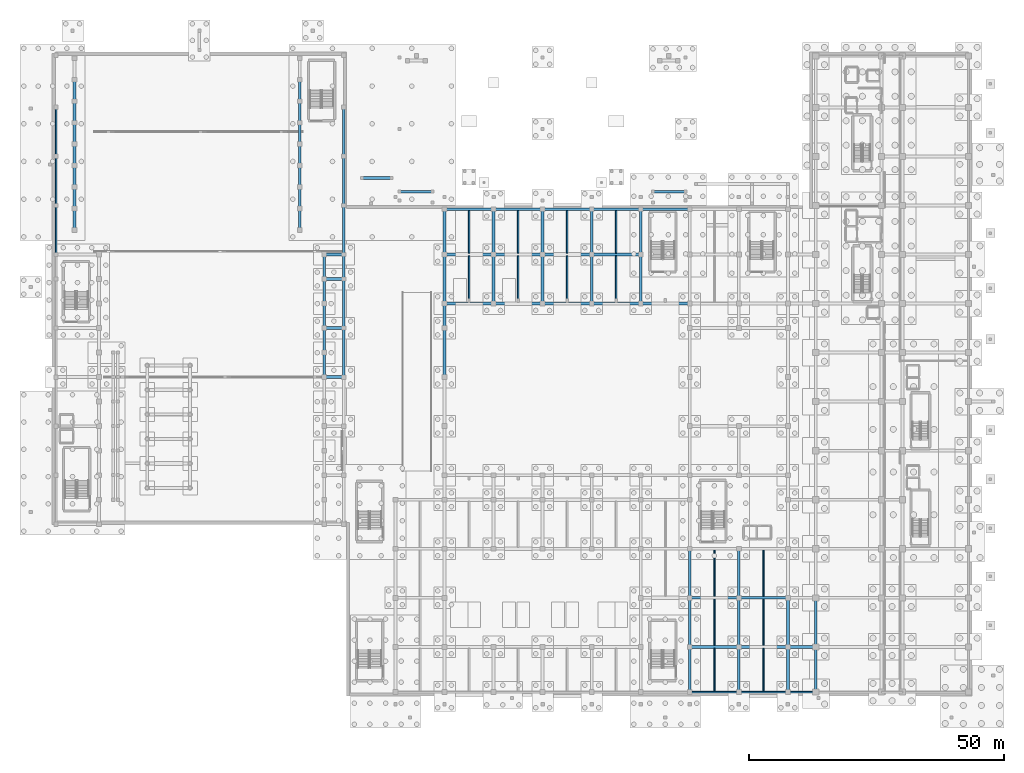
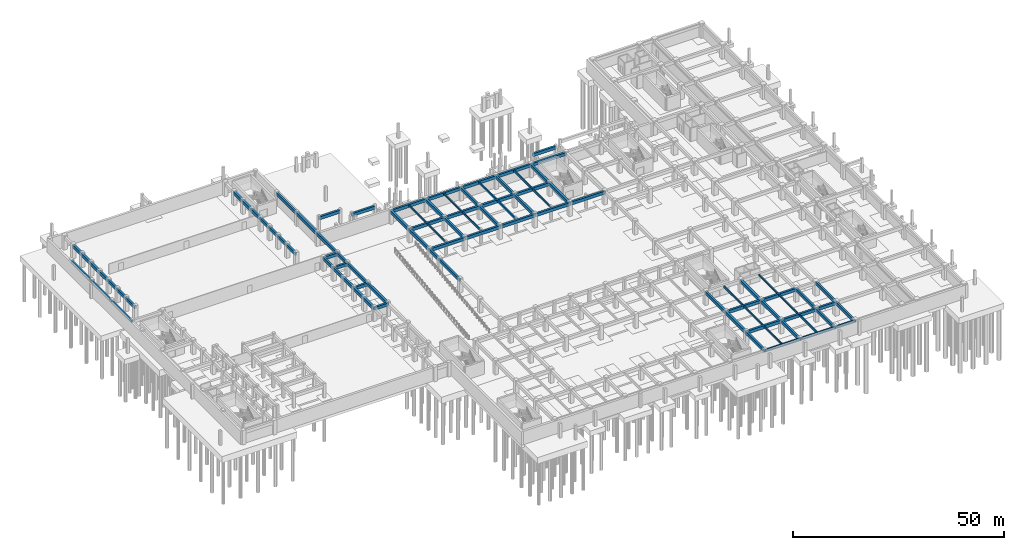
# One storey, part 12 of 39: 93 beams.
"""IFC4 building model written with IfcOpenShell, lengths in metres."""

import ifcopenshell
import ifcopenshell.guid

model = None  # the IFC model being written
_history = None  # IfcOwnerHistory: only IFC2X3 demands one
_inside = {}  # id of a spatial element -> (the spatial element, [elements in it])
_under = {}  # id of a project, library or spatial element -> (it, [spatial elements below it])
_declared = {}  # id of a project -> (the project, [libraries it declares])
_typed = {}  # id of a type object -> (the type object, [elements of that type])
_made_of = {}  # id of a material, layer set ... -> (it, [elements and type objects made of it])


def new_model(schema):
    """Start an empty IFC model of exactly this schema.

    Asked for "IFC4X3", IfcOpenShell would pick the latest addendum, in which some entities
    have other attributes; the version numbers below select the first issue.
    IFC2X3 requires an IfcOwnerHistory on every rooted entity: one is made here for all.
    """
    global model, _history
    if schema == "IFC4X3":
        model = ifcopenshell.file(schema_version=(4, 3, 0, 0))
    else:
        model = ifcopenshell.file(schema=schema)
    _inside.clear()
    _under.clear()
    _declared.clear()
    _typed.clear()
    _made_of.clear()
    _history = None
    if model.schema == "IFC2X3":
        org = make("IfcOrganization", Name="unknown")
        user = make(
            "IfcPersonAndOrganization",
            ThePerson=make("IfcPerson", FamilyName="unknown"),
            TheOrganization=org,
        )
        app = make(
            "IfcApplication",
            ApplicationDeveloper=org,
            Version="unknown",
            ApplicationFullName="unknown",
            ApplicationIdentifier="unknown",
        )
        _history = make(
            "IfcOwnerHistory",
            OwningUser=user,
            OwningApplication=app,
            ChangeAction="ADDED",
            CreationDate=0,
        )
    return model


def make(cls, **values):
    """One entity of the class cls with the attributes given. An attribute that is None is left unset."""
    return model.create_entity(
        cls, **{name: value for name, value in values.items() if value is not None}
    )


def rooted(cls, **values):
    """An entity with a GlobalId (a new one), such as an element, a storey or a relation."""
    return make(cls, GlobalId=ifcopenshell.guid.new(), OwnerHistory=_history, **values)


def si_unit(unit_type, name, prefix=None):
    """IfcSIUnit, for example si_unit("LENGTHUNIT", "METRE", prefix="MILLI")."""
    return make("IfcSIUnit", UnitType=unit_type, Prefix=prefix, Name=name)


def assignment(units):
    """IfcUnitAssignment: the units of a project."""
    return None if units is None else make("IfcUnitAssignment", Units=units)


def point(xyz):
    """IfcCartesianPoint."""
    return None if xyz is None else make("IfcCartesianPoint", Coordinates=xyz)


def direction(xyz):
    """IfcDirection."""
    return None if xyz is None else make("IfcDirection", DirectionRatios=xyz)


def frame(location, z_axis=None, x_axis=None):
    """IfcAxis2Placement3D, a coordinate frame: its origin and axes. An axis left out is left unset."""
    return make(
        "IfcAxis2Placement3D",
        Location=point(location),
        Axis=direction(z_axis),
        RefDirection=direction(x_axis),
    )


def frame_2d(location, x_axis=None):
    """IfcAxis2Placement2D, a coordinate frame in the plane: its origin and x axis."""
    return make(
        "IfcAxis2Placement2D", Location=point(location), RefDirection=direction(x_axis)
    )


def origin():
    """The frame at (0, 0, 0) with its axes left unset."""
    return frame((0.0, 0.0, 0.0))


def origin_2d():
    """The frame at (0, 0) in the plane with its x axis left unset."""
    return frame_2d((0.0, 0.0))


def place(relative_to, where):
    """IfcLocalPlacement: puts the frame where relative to a parent placement (None: the world)."""
    return make(
        "IfcLocalPlacement", PlacementRelTo=relative_to, RelativePlacement=where
    )


def context(
    kind, dimensions, precision=None, world=None, true_north=None, identifier=None
):
    """IfcGeometricRepresentationContext, for example the 3D "Model" context."""
    return make(
        "IfcGeometricRepresentationContext",
        ContextIdentifier=identifier,
        ContextType=kind,
        CoordinateSpaceDimension=dimensions,
        Precision=precision,
        WorldCoordinateSystem=world,
        TrueNorth=true_north,
    )


def subcontext(parent, identifier, kind, view, scale=None):
    """IfcGeometricRepresentationSubContext, for example "Body" below "Model"."""
    return make(
        "IfcGeometricRepresentationSubContext",
        ContextIdentifier=identifier,
        ContextType=kind,
        ParentContext=parent,
        TargetScale=scale,
        TargetView=view,
    )


def project(units=None, contexts=None):
    """IfcProject with its units and contexts."""
    return rooted(
        "IfcProject",
        Name="project",
        RepresentationContexts=contexts,
        UnitsInContext=assignment(units),
    )


def spatial(cls, under=None, at=None, **own):
    """A site, building, storey or space (cls), placed at a placement, below another one or the project."""
    s = rooted(cls, ObjectPlacement=at, **own)
    if under is not None:
        _under.setdefault(under.id(), (under, []))[1].append(s)
    return s


def profile(cls, at=None, kind="AREA", **sizes):
    """A parametric profile (cls). Its sizes go by their IFC names, for example OverallWidth=200.0."""
    return make(cls, ProfileType=kind, Position=at, **sizes)


def rectangle(**sizes):
    """IfcRectangleProfileDef."""
    return profile("IfcRectangleProfileDef", **sizes)


def extrude(swept, where, along, depth):
    """IfcExtrudedAreaSolid: the profile swept, set in the frame where, extruded along a direction by depth."""
    return make(
        "IfcExtrudedAreaSolid",
        SweptArea=swept,
        Position=where,
        ExtrudedDirection=direction(along),
        Depth=depth,
    )


def shape(context_of_items, identifier, shape_type, items):
    """IfcShapeRepresentation: the items that make up one representation, for example the "Body"."""
    return make(
        "IfcShapeRepresentation",
        ContextOfItems=context_of_items,
        RepresentationIdentifier=identifier,
        RepresentationType=shape_type,
        Items=items,
    )


def material(Name=None, Category=None):
    """IfcMaterial."""
    return make("IfcMaterial", Name=Name, Category=Category)


def material_profile(
    of_material, cross_section, Name=None, Category=None, Priority=None
):
    """IfcMaterialProfile: a cross section and its material."""
    return make(
        "IfcMaterialProfile",
        Name=Name,
        Material=of_material,
        Profile=cross_section,
        Priority=Priority,
        Category=Category,
    )


def profile_set(profiles, Name=None, composite=None):
    """IfcMaterialProfileSet."""
    return make(
        "IfcMaterialProfileSet",
        Name=Name,
        MaterialProfiles=profiles,
        CompositeProfile=composite,
    )


def made_of(thing, what):
    """Note that an element or type object is made of a material, layer set ...; save() writes the relation."""
    if what is not None:
        _made_of.setdefault(what.id(), (what, []))[1].append(thing)
    return thing


def type_object(cls, material=None, **own):
    """A type object (cls), such as IfcWallType, which elements share."""
    return made_of(rooted(cls, **own), material)


def element(
    cls,
    number,
    at=None,
    inside=None,
    cuts=None,
    type_object=None,
    material=None,
    context=None,
    identifier="Body",
    shape_type=None,
    held_by="IfcProductDefinitionShape",
    body=None,
    shapes=None,
    **own,
):
    """One element of the class cls, such as IfcWall. Its Tag is "e" and its number.

    at: its placement. inside: the storey or other place that contains it. cuts: it is an
    opening in that element (IfcRelVoidsElement). A single representation is given by context,
    identifier, shape_type and body (its items); several are given by shapes. held_by: the class
    of the entity that holds the representations. save() writes the other relations.
    """
    e = rooted(cls, Tag="e%d" % number, ObjectPlacement=at, **own)
    if body is not None:
        shapes = [shape(context, identifier, shape_type, body)]
    if shapes is not None:
        e.Representation = make(held_by, Representations=shapes)
    if inside is not None:
        _inside.setdefault(inside.id(), (inside, []))[1].append(e)
    if cuts is not None:
        rooted(
            "IfcRelVoidsElement", RelatingBuildingElement=cuts, RelatedOpeningElement=e
        )
    if type_object is not None:
        _typed.setdefault(type_object.id(), (type_object, []))[1].append(e)
    return made_of(e, material)


def aggregate(whole, parts):
    """IfcRelAggregates: a whole, such as a stair, and the parts it consists of."""
    return rooted("IfcRelAggregates", RelatingObject=whole, RelatedObjects=parts)


def save(model, path):
    """Write the relations noted so far, then the file.

    IfcRelAggregates (storeys below a building ...), IfcRelContainedInSpatialStructure (elements
    in a storey), IfcRelDefinesByType, IfcRelAssociatesMaterial and IfcRelDeclares: one each for
    every whole, place, type object, material and project.
    """
    for whole, parts in _under.values():
        aggregate(whole, parts)
    for where, things in _inside.values():
        rooted(
            "IfcRelContainedInSpatialStructure",
            RelatedElements=things,
            RelatingStructure=where,
        )
    for kind, things in _typed.values():
        rooted("IfcRelDefinesByType", RelatedObjects=things, RelatingType=kind)
    for what, things in _made_of.values():
        rooted("IfcRelAssociatesMaterial", RelatedObjects=things, RelatingMaterial=what)
    for by, libraries in _declared.values():
        rooted("IfcRelDeclares", RelatingContext=by, RelatedDefinitions=libraries)
    model.write(path)


model = new_model("IFC4")

# Units and contexts
model_context = context("Model", 3, precision=1e-05, world=origin(), true_north=direction((0.0, 1.0)))
body_context = subcontext(model_context, "Body", "Model", "MODEL_VIEW")
ifc_project = project(units=[si_unit("LENGTHUNIT", "METRE"), si_unit("AREAUNIT", "SQUARE_METRE"), si_unit("VOLUMEUNIT", "CUBIC_METRE"), si_unit("PLANEANGLEUNIT", "RADIAN"), si_unit("MASSUNIT", "GRAM", prefix="KILO")], contexts=[model_context])

# Site, building, storey
site_placement = place(None, origin())
site = spatial("IfcSite", under=ifc_project, at=site_placement, CompositionType="ELEMENT")
building_placement = place(site_placement, origin())
building = spatial("IfcBuilding", under=site, at=building_placement, Name="Nakhvara Creek Congress Hotel", CompositionType="ELEMENT")
storey_placement = place(building_placement, frame((0.0, 0.0, -8.39990234375)))
storey = spatial("IfcBuildingStorey", under=building, at=storey_placement, Name="B2", CompositionType="ELEMENT", Elevation=-8.39990234375)

# Beams
ifc_material_1 = material(Name="Concrete C40/50", Category="concrete")
ifc_material_profile_1 = material_profile(ifc_material_1, rectangle(XDim=0.300048828125, YDim=0.5, at=origin_2d()), Name="RC-BM 300x500", Category="LoadBearing")
ifc_profile_set_1 = profile_set([ifc_material_profile_1], Name="Concrete C40/50")
beam_type_1 = type_object("IfcBeamType", Name="BM-JST-300X500", PredefinedType="JOIST", material=ifc_profile_set_1)
beam_1_placement = place(storey_placement, frame((81.60009765625, 77.074951171875, 3.60986328125), z_axis=(0.0, 1.0, 0.0), x_axis=(-1.0, 0.0, 0.0)))
element("IfcBeam", 1, at=beam_1_placement, inside=storey, type_object=beam_type_1, Name="Secondary Joist BJ1-B2-0340", PredefinedType="JOIST", context=body_context, shape_type="SweptSolid", body=[
    extrude(rectangle(XDim=0.300048828125, YDim=0.5, at=origin_2d()), origin(), (0.0, 0.0, 1.0), 9.050048828125),
])
beam_2_placement = place(storey_placement, frame((81.60009765625, 86.675048828125, 3.60986328125), z_axis=(0.0, 1.0, 0.0), x_axis=(-1.0, 0.0, 0.0)))
element("IfcBeam", 2, at=beam_2_placement, inside=storey, type_object=beam_type_1, Name="Secondary Joist BJ1-B2-0341", PredefinedType="JOIST", context=body_context, shape_type="SweptSolid", body=[
    extrude(rectangle(XDim=0.300048828125, YDim=0.5, at=origin_2d()), origin(), (0.0, 0.0, 1.0), 8.300048828125),
])
beam_3_placement = place(storey_placement, frame((91.199951171875, 77.074951171875, 3.60986328125), z_axis=(0.0, 1.0, 0.0), x_axis=(-1.0, 0.0, 0.0)))
element("IfcBeam", 3, at=beam_3_placement, inside=storey, type_object=beam_type_1, Name="Secondary Joist BJ1-B2-0344", PredefinedType="JOIST", context=body_context, shape_type="SweptSolid", body=[
    extrude(rectangle(XDim=0.300048828125, YDim=0.5, at=origin_2d()), origin(), (0.0, 0.0, 1.0), 9.050048828125),
])
beam_4_placement = place(storey_placement, frame((91.199951171875, 86.675048828125, 3.60986328125), z_axis=(0.0, 1.0, 0.0), x_axis=(-1.0, 0.0, 0.0)))
element("IfcBeam", 4, at=beam_4_placement, inside=storey, type_object=beam_type_1, Name="Secondary Joist BJ1-B2-0345", PredefinedType="JOIST", context=body_context, shape_type="SweptSolid", body=[
    extrude(rectangle(XDim=0.300048828125, YDim=0.5, at=origin_2d()), origin(), (0.0, 0.0, 1.0), 8.300048828125),
])
beam_5_placement = place(storey_placement, frame((100.800048828125, 77.074951171875, 3.60986328125), z_axis=(0.0, 1.0, 0.0), x_axis=(-1.0, 0.0, 0.0)))
element("IfcBeam", 5, at=beam_5_placement, inside=storey, type_object=beam_type_1, Name="Secondary Joist BJ1-B2-0348", PredefinedType="JOIST", context=body_context, shape_type="SweptSolid", body=[
    extrude(rectangle(XDim=0.300048828125, YDim=0.5, at=origin_2d()), origin(), (0.0, 0.0, 1.0), 9.050048828125),
])
beam_6_placement = place(storey_placement, frame((100.800048828125, 86.675048828125, 3.60986328125), z_axis=(0.0, 1.0, 0.0), x_axis=(-1.0, 0.0, 0.0)))
element("IfcBeam", 6, at=beam_6_placement, inside=storey, type_object=beam_type_1, Name="Secondary Joist BJ1-B2-0349", PredefinedType="JOIST", context=body_context, shape_type="SweptSolid", body=[
    extrude(rectangle(XDim=0.300048828125, YDim=0.5, at=origin_2d()), origin(), (0.0, 0.0, 1.0), 8.300048828125),
])
beam_7_placement = place(storey_placement, frame((110.39990234375, 77.074951171875, 3.60986328125), z_axis=(0.0, 1.0, 0.0), x_axis=(-1.0, 0.0, 0.0)))
element("IfcBeam", 7, at=beam_7_placement, inside=storey, type_object=beam_type_1, Name="Secondary Joist BJ1-B2-0352", PredefinedType="JOIST", context=body_context, shape_type="SweptSolid", body=[
    extrude(rectangle(XDim=0.300048828125, YDim=0.5, at=origin_2d()), origin(), (0.0, 0.0, 1.0), 9.050048828125),
])
beam_8_placement = place(storey_placement, frame((110.39990234375, 86.675048828125, 3.60986328125), z_axis=(0.0, 1.0, 0.0), x_axis=(-1.0, 0.0, 0.0)))
element("IfcBeam", 8, at=beam_8_placement, inside=storey, type_object=beam_type_1, Name="Secondary Joist BJ1-B2-0353", PredefinedType="JOIST", context=body_context, shape_type="SweptSolid", body=[
    extrude(rectangle(XDim=0.300048828125, YDim=0.5, at=origin_2d()), origin(), (0.0, 0.0, 1.0), 8.300048828125),
])
beam_9_placement = place(storey_placement, frame((129.60009765625, 0.925048828125, 3.60986328125), z_axis=(0.0, 1.0, 0.0), x_axis=(-1.0, 0.0, 0.0)))
element("IfcBeam", 9, at=beam_9_placement, inside=storey, type_object=beam_type_1, Name="Secondary Joist BJ1-B2-0356", PredefinedType="JOIST", context=body_context, shape_type="SweptSolid", body=[
    extrude(rectangle(XDim=0.300048828125, YDim=0.5, at=origin_2d()), origin(), (0.0, 0.0, 1.0), 8.39990234375),
])
beam_10_placement = place(storey_placement, frame((129.60009765625, 9.875, 3.60986328125), z_axis=(0.0, 1.0, 0.0), x_axis=(-1.0, 0.0, 0.0)))
element("IfcBeam", 10, at=beam_10_placement, inside=storey, type_object=beam_type_1, Name="Secondary Joist BJ1-B2-0357", PredefinedType="JOIST", context=body_context, shape_type="SweptSolid", body=[
    extrude(rectangle(XDim=0.300048828125, YDim=0.5, at=origin_2d()), origin(), (0.0, 0.0, 1.0), 9.050048828125),
])
beam_11_placement = place(storey_placement, frame((129.60009765625, 19.47509765625, 3.60986328125), z_axis=(0.0, 1.0, 0.0), x_axis=(-1.0, 0.0, 0.0)))
element("IfcBeam", 11, at=beam_11_placement, inside=storey, type_object=beam_type_1, Name="Secondary Joist BJ1-B2-0358", PredefinedType="JOIST", context=body_context, shape_type="SweptSolid", body=[
    extrude(rectangle(XDim=0.300048828125, YDim=0.5, at=origin_2d()), origin(), (0.0, 0.0, 1.0), 9.0498046875),
])
beam_12_placement = place(storey_placement, frame((139.199951171875, 0.925048828125, 3.60986328125), z_axis=(0.0, 1.0, 0.0), x_axis=(-1.0, 0.0, 0.0)))
element("IfcBeam", 12, at=beam_12_placement, inside=storey, type_object=beam_type_1, Name="Secondary Joist BJ1-B2-0361", PredefinedType="JOIST", context=body_context, shape_type="SweptSolid", body=[
    extrude(rectangle(XDim=0.300048828125, YDim=0.5, at=origin_2d()), origin(), (0.0, 0.0, 1.0), 8.39990234375),
])
beam_13_placement = place(storey_placement, frame((139.199951171875, 9.875, 3.60986328125), z_axis=(0.0, 1.0, 0.0), x_axis=(-1.0, 0.0, 0.0)))
element("IfcBeam", 13, at=beam_13_placement, inside=storey, type_object=beam_type_1, Name="Secondary Joist BJ1-B2-0362", PredefinedType="JOIST", context=body_context, shape_type="SweptSolid", body=[
    extrude(rectangle(XDim=0.300048828125, YDim=0.5, at=origin_2d()), origin(), (0.0, 0.0, 1.0), 9.050048828125),
])
beam_14_placement = place(storey_placement, frame((139.199951171875, 19.47509765625, 3.60986328125), z_axis=(0.0, 1.0, 0.0), x_axis=(-1.0, 0.0, 0.0)))
element("IfcBeam", 14, at=beam_14_placement, inside=storey, type_object=beam_type_1, Name="Secondary Joist BJ1-B2-0363", PredefinedType="JOIST", context=body_context, shape_type="SweptSolid", body=[
    extrude(rectangle(XDim=0.300048828125, YDim=0.5, at=origin_2d()), origin(), (0.0, 0.0, 1.0), 9.0498046875),
])
ifc_material_2 = material(Name="Concrete C50/60", Category="concrete")
ifc_material_profile_2 = material_profile(ifc_material_2, rectangle(XDim=0.550048828125, YDim=0.8798828125, at=origin_2d()), Name="RC-BM 550x880", Category="LoadBearing")
ifc_profile_set_2 = profile_set([ifc_material_profile_2], Name="Concrete C50/60")
beam_type_2 = type_object("IfcBeamType", Name="BM-RC-550X880", PredefinedType="BEAM", material=ifc_profile_set_2)
beam_15_placement = place(storey_placement, frame((57.050048828125, 62.39990234375, 3.419921875), z_axis=(0.0, 1.0, 0.0), x_axis=(-1.0, 0.0, 0.0)))
element("IfcBeam", 15, at=beam_15_placement, inside=storey, type_object=beam_type_2, Name="Beam B15-B2-0014", PredefinedType="BEAM", context=body_context, shape_type="SweptSolid", body=[
    extrude(rectangle(XDim=0.550048828125, YDim=0.8798828125, at=origin_2d()), origin(), (0.0, 0.0, 1.0), 9.60009765625),
])
beam_16_placement = place(storey_placement, frame((53.25, 62.39990234375, 3.419921875), z_axis=(1.0, 0.0, 0.0), x_axis=(0.0, 1.0, 0.0)))
element("IfcBeam", 16, at=beam_16_placement, inside=storey, type_object=beam_type_2, Name="Beam B15-B2-0015", PredefinedType="BEAM", context=body_context, shape_type="SweptSolid", body=[
    extrude(rectangle(XDim=0.550048828125, YDim=0.8798828125, at=origin_2d()), origin(), (0.0, 0.0, 1.0), 3.800048828125),
])
beam_17_placement = place(storey_placement, frame((57.050048828125, 72.0, 3.419921875), z_axis=(0.0, 1.0, 0.0), x_axis=(-1.0, 0.0, 0.0)))
element("IfcBeam", 17, at=beam_17_placement, inside=storey, type_object=beam_type_2, Name="Beam B15-B2-0018", PredefinedType="BEAM", context=body_context, shape_type="SweptSolid", body=[
    extrude(rectangle(XDim=0.550048828125, YDim=0.8798828125, at=origin_2d()), origin(), (0.0, 0.0, 1.0), 9.60009765625),
])
beam_18_placement = place(storey_placement, frame((53.25, 72.0, 3.419921875), z_axis=(1.0, 0.0, 0.0), x_axis=(0.0, 1.0, 0.0)))
element("IfcBeam", 18, at=beam_18_placement, inside=storey, type_object=beam_type_2, Name="Beam B15-B2-0019", PredefinedType="BEAM", context=body_context, shape_type="SweptSolid", body=[
    extrude(rectangle(XDim=0.550048828125, YDim=0.8798828125, at=origin_2d()), origin(), (0.0, 0.0, 1.0), 3.800048828125),
])
beam_19_placement = place(storey_placement, frame((57.050048828125, 81.60009765625, 3.419921875), z_axis=(0.0, 1.0, 0.0), x_axis=(-1.0, 0.0, 0.0)))
element("IfcBeam", 19, at=beam_19_placement, inside=storey, type_object=beam_type_2, Name="Beam B15-B2-0021", PredefinedType="BEAM", context=body_context, shape_type="SweptSolid", body=[
    extrude(rectangle(XDim=0.550048828125, YDim=0.8798828125, at=origin_2d()), origin(), (0.0, 0.0, 1.0), 4.7998046875),
])
for number, where, z_axis, x_axis, name in (
    (20, (53.25, 81.60009765625, 3.419921875), (1.0, 0.0, 0.0), (0.0, 1.0, 0.0), "Beam B15-B2-0022"),
    (21, (53.25, 86.39990234375, 3.419921875), (1.0, 0.0, 0.0), (0.0, 1.0, 0.0), "Beam B15-B2-0025"),
):
    element("IfcBeam", number, at=place(storey_placement, frame(where, z_axis=z_axis, x_axis=x_axis)), inside=storey, type_object=beam_type_2, Name=name, PredefinedType="BEAM", context=body_context, shape_type="SweptSolid", body=[
        extrude(rectangle(XDim=0.550048828125, YDim=0.8798828125, at=origin_2d()), origin(), (0.0, 0.0, 1.0), 3.800048828125),
    ])
beam_20_placement = place(storey_placement, frame((57.050048828125, 86.39990234375, 3.419921875), z_axis=(0.0, 1.0, 0.0), x_axis=(-1.0, 0.0, 0.0)))
element("IfcBeam", 22, at=beam_20_placement, inside=storey, type_object=beam_type_2, Name="Beam B15-B2-0026", PredefinedType="BEAM", context=body_context, shape_type="SweptSolid", body=[
    extrude(rectangle(XDim=0.550048828125, YDim=0.8798828125, at=origin_2d()), origin(), (0.0, 0.0, 1.0), 9.60009765625),
])
for number, where, z_axis, x_axis, name in (
    (23, (53.25, 62.39990234375, 3.419921875), (0.0, 1.0, 0.0), (-1.0, 0.0, 0.0), "Beam B15-B2-0040"),
    (24, (53.25, 67.199951171875, 3.419921875), (0.0, 1.0, 0.0), (-1.0, 0.0, 0.0), "Beam B15-B2-0042"),
    (25, (53.25, 72.0, 3.419921875), (0.0, 1.0, 0.0), (-1.0, 0.0, 0.0), "Beam B15-B2-0044"),
    (26, (53.25, 76.800048828125, 3.419921875), (0.0, 1.0, 0.0), (-1.0, 0.0, 0.0), "Beam B15-B2-0046"),
):
    element("IfcBeam", number, at=place(storey_placement, frame(where, z_axis=z_axis, x_axis=x_axis)), inside=storey, type_object=beam_type_2, Name=name, PredefinedType="BEAM", context=body_context, shape_type="SweptSolid", body=[
        extrude(rectangle(XDim=0.550048828125, YDim=0.8798828125, at=origin_2d()), origin(), (0.0, 0.0, 1.0), 4.800048828125),
    ])
beam_21_placement = place(storey_placement, frame((53.25, 81.60009765625, 3.419921875), z_axis=(0.0, 1.0, 0.0), x_axis=(-1.0, 0.0, 0.0)))
element("IfcBeam", 27, at=beam_21_placement, inside=storey, type_object=beam_type_2, Name="Beam B15-B2-0048", PredefinedType="BEAM", context=body_context, shape_type="SweptSolid", body=[
    extrude(rectangle(XDim=0.550048828125, YDim=0.8798828125, at=origin_2d()), origin(), (0.0, 0.0, 1.0), 4.7998046875),
])
for number, where, z_axis, x_axis, name in (
    (28, (4.35009765625, 91.199951171875, 3.419921875), (0.0, 1.0, 0.0), (-1.0, 0.0, 0.0), "Beam B15-B2-0077"),
    (29, (48.449951171875, 91.199951171875, 3.419921875), (0.0, 1.0, 0.0), (-1.0, 0.0, 0.0), "Beam B15-B2-0078"),
):
    element("IfcBeam", number, at=place(storey_placement, frame(where, z_axis=z_axis, x_axis=x_axis)), inside=storey, type_object=beam_type_2, Name=name, PredefinedType="BEAM", context=body_context, shape_type="SweptSolid", body=[
        extrude(rectangle(XDim=0.550048828125, YDim=0.8798828125, at=origin_2d()), origin(), (0.0, 0.0, 1.0), 4.199951171875),
    ])
for number, where, z_axis, x_axis, name in (
    (30, (4.35009765625, 95.39990234375, 3.419921875), (0.0, 1.0, 0.0), (-1.0, 0.0, 0.0), "Beam B15-B2-0079"),
    (31, (48.449951171875, 95.39990234375, 3.419921875), (0.0, 1.0, 0.0), (-1.0, 0.0, 0.0), "Beam B15-B2-0080"),
):
    element("IfcBeam", number, at=place(storey_placement, frame(where, z_axis=z_axis, x_axis=x_axis)), inside=storey, type_object=beam_type_2, Name=name, PredefinedType="BEAM", context=body_context, shape_type="SweptSolid", body=[
        extrude(rectangle(XDim=0.550048828125, YDim=0.8798828125, at=origin_2d()), origin(), (0.0, 0.0, 1.0), 4.2001953125),
    ])
for number, where, z_axis, x_axis, name in (
    (32, (4.35009765625, 99.60009765625, 3.419921875), (0.0, 1.0, 0.0), (-1.0, 0.0, 0.0), "Beam B15-B2-0081"),
    (33, (48.449951171875, 99.60009765625, 3.419921875), (0.0, 1.0, 0.0), (-1.0, 0.0, 0.0), "Beam B15-B2-0082"),
    (34, (4.35009765625, 103.800048828125, 3.419921875), (0.0, 1.0, 0.0), (-1.0, 0.0, 0.0), "Beam B15-B2-0083"),
    (35, (48.449951171875, 103.800048828125, 3.419921875), (0.0, 1.0, 0.0), (-1.0, 0.0, 0.0), "Beam B15-B2-0084"),
    (36, (4.35009765625, 108.0, 3.419921875), (0.0, 1.0, 0.0), (-1.0, 0.0, 0.0), "Beam B15-B2-0085"),
    (37, (48.449951171875, 108.0, 3.419921875), (0.0, 1.0, 0.0), (-1.0, 0.0, 0.0), "Beam B15-B2-0086"),
    (38, (4.35009765625, 112.199951171875, 3.419921875), (0.0, 1.0, 0.0), (-1.0, 0.0, 0.0), "Beam B15-B2-0087"),
    (39, (48.449951171875, 112.199951171875, 3.419921875), (0.0, 1.0, 0.0), (-1.0, 0.0, 0.0), "Beam B15-B2-0088"),
):
    element("IfcBeam", number, at=place(storey_placement, frame(where, z_axis=z_axis, x_axis=x_axis)), inside=storey, type_object=beam_type_2, Name=name, PredefinedType="BEAM", context=body_context, shape_type="SweptSolid", body=[
        extrude(rectangle(XDim=0.550048828125, YDim=0.8798828125, at=origin_2d()), origin(), (0.0, 0.0, 1.0), 4.199951171875),
    ])
for number, where, z_axis, x_axis, name in (
    (40, (4.35009765625, 116.39990234375, 3.419921875), (0.0, 1.0, 0.0), (-1.0, 0.0, 0.0), "Beam B15-B2-0089"),
    (41, (48.449951171875, 116.39990234375, 3.419921875), (0.0, 1.0, 0.0), (-1.0, 0.0, 0.0), "Beam B15-B2-0090"),
):
    element("IfcBeam", number, at=place(storey_placement, frame(where, z_axis=z_axis, x_axis=x_axis)), inside=storey, type_object=beam_type_2, Name=name, PredefinedType="BEAM", context=body_context, shape_type="SweptSolid", body=[
        extrude(rectangle(XDim=0.550048828125, YDim=0.8798828125, at=origin_2d()), origin(), (0.0, 0.0, 1.0), 4.2001953125),
    ])
beam_22_placement = place(storey_placement, frame((57.050048828125, 96.0, 3.419921875), z_axis=(0.0, 1.0, 0.0), x_axis=(-1.0, 0.0, 0.0)))
element("IfcBeam", 42, at=beam_22_placement, inside=storey, type_object=beam_type_2, Name="Beam B15-B2-0094", PredefinedType="BEAM", context=body_context, shape_type="SweptSolid", body=[
    extrude(rectangle(XDim=0.550048828125, YDim=0.8798828125, at=origin_2d()), origin(), (0.0, 0.0, 1.0), 9.60009765625),
])
beam_23_placement = place(storey_placement, frame((57.050048828125, 105.60009765625, 3.419921875), z_axis=(0.0, 1.0, 0.0), x_axis=(-1.0, 0.0, 0.0)))
element("IfcBeam", 43, at=beam_23_placement, inside=storey, type_object=beam_type_2, Name="Beam B15-B2-0096", PredefinedType="BEAM", context=body_context, shape_type="SweptSolid", body=[
    extrude(rectangle(XDim=0.550048828125, YDim=0.8798828125, at=origin_2d()), origin(), (0.0, 0.0, 1.0), 9.599853515625),
])
beam_24_placement = place(storey_placement, frame((76.800048828125, 62.39990234375, 3.419921875), z_axis=(0.0, 1.0, 0.0), x_axis=(-1.0, 0.0, 0.0)))
element("IfcBeam", 44, at=beam_24_placement, inside=storey, type_object=beam_type_2, Name="Beam B15-B2-0118", PredefinedType="BEAM", context=body_context, shape_type="SweptSolid", body=[
    extrude(rectangle(XDim=0.550048828125, YDim=0.8798828125, at=origin_2d()), origin(), (0.0, 0.0, 1.0), 9.60009765625),
])
beam_25_placement = place(storey_placement, frame((76.800048828125, 72.0, 3.419921875), z_axis=(0.0, 1.0, 0.0), x_axis=(-1.0, 0.0, 0.0)))
element("IfcBeam", 45, at=beam_25_placement, inside=storey, type_object=beam_type_2, Name="Beam B15-B2-0119", PredefinedType="BEAM", context=body_context, shape_type="SweptSolid", body=[
    extrude(rectangle(XDim=0.550048828125, YDim=0.8798828125, at=origin_2d()), origin(), (0.0, 0.0, 1.0), 4.800048828125),
])
for number, where, z_axis, x_axis, name in (
    (46, (76.800048828125, 76.800048828125, 3.419921875), (0.0, 1.0, 0.0), (-1.0, 0.0, 0.0), "Beam B15-B2-0120"),
    (47, (76.800048828125, 76.800048828125, 3.419921875), (1.0, 0.0, 0.0), (0.0, 1.0, 0.0), "Beam B15-B2-0121"),
):
    element("IfcBeam", number, at=place(storey_placement, frame(where, z_axis=z_axis, x_axis=x_axis)), inside=storey, type_object=beam_type_2, Name=name, PredefinedType="BEAM", context=body_context, shape_type="SweptSolid", body=[
        extrude(rectangle(XDim=0.550048828125, YDim=0.8798828125, at=origin_2d()), origin(), (0.0, 0.0, 1.0), 9.599853515625),
    ])
beam_26_placement = place(storey_placement, frame((76.800048828125, 86.39990234375, 3.419921875), z_axis=(0.0, 1.0, 0.0), x_axis=(-1.0, 0.0, 0.0)))
element("IfcBeam", 48, at=beam_26_placement, inside=storey, type_object=beam_type_2, Name="Beam B15-B2-0122", PredefinedType="BEAM", context=body_context, shape_type="SweptSolid", body=[
    extrude(rectangle(XDim=0.550048828125, YDim=0.8798828125, at=origin_2d()), origin(), (0.0, 0.0, 1.0), 8.85009765625),
])
for number, where, z_axis, x_axis, name in (
    (49, (76.800048828125, 86.39990234375, 3.419921875), (1.0, 0.0, 0.0), (0.0, 1.0, 0.0), "Beam B15-B2-0123"),
    (50, (76.800048828125, 95.25, 3.419921875), (1.0, 0.0, 0.0), (0.0, 1.0, 0.0), "Beam B15-B2-0124"),
    (51, (86.39990234375, 76.800048828125, 3.419921875), (0.0, 1.0, 0.0), (-1.0, 0.0, 0.0), "Beam B15-B2-0133"),
):
    element("IfcBeam", number, at=place(storey_placement, frame(where, z_axis=z_axis, x_axis=x_axis)), inside=storey, type_object=beam_type_2, Name=name, PredefinedType="BEAM", context=body_context, shape_type="SweptSolid", body=[
        extrude(rectangle(XDim=0.550048828125, YDim=0.8798828125, at=origin_2d()), origin(), (0.0, 0.0, 1.0), 9.599853515625),
    ])
beam_27_placement = place(storey_placement, frame((86.39990234375, 76.800048828125, 3.419921875), z_axis=(1.0, 0.0, 0.0), x_axis=(0.0, 1.0, 0.0)))
element("IfcBeam", 52, at=beam_27_placement, inside=storey, type_object=beam_type_2, Name="Beam B15-B2-0134", PredefinedType="BEAM", context=body_context, shape_type="SweptSolid", body=[
    extrude(rectangle(XDim=0.550048828125, YDim=0.8798828125, at=origin_2d()), origin(), (0.0, 0.0, 1.0), 9.60009765625),
])
beam_28_placement = place(storey_placement, frame((86.39990234375, 86.39990234375, 3.419921875), z_axis=(0.0, 1.0, 0.0), x_axis=(-1.0, 0.0, 0.0)))
element("IfcBeam", 53, at=beam_28_placement, inside=storey, type_object=beam_type_2, Name="Beam B15-B2-0135", PredefinedType="BEAM", context=body_context, shape_type="SweptSolid", body=[
    extrude(rectangle(XDim=0.550048828125, YDim=0.8798828125, at=origin_2d()), origin(), (0.0, 0.0, 1.0), 8.85009765625),
])
for number, where, z_axis, x_axis, name in (
    (54, (86.39990234375, 86.39990234375, 3.419921875), (1.0, 0.0, 0.0), (0.0, 1.0, 0.0), "Beam B15-B2-0136"),
    (55, (86.39990234375, 95.25, 3.419921875), (1.0, 0.0, 0.0), (0.0, 1.0, 0.0), "Beam B15-B2-0137"),
):
    element("IfcBeam", number, at=place(storey_placement, frame(where, z_axis=z_axis, x_axis=x_axis)), inside=storey, type_object=beam_type_2, Name=name, PredefinedType="BEAM", context=body_context, shape_type="SweptSolid", body=[
        extrude(rectangle(XDim=0.550048828125, YDim=0.8798828125, at=origin_2d()), origin(), (0.0, 0.0, 1.0), 9.60009765625),
    ])
beam_29_placement = place(storey_placement, frame((96.0, 76.800048828125, 3.419921875), z_axis=(0.0, 1.0, 0.0), x_axis=(-1.0, 0.0, 0.0)))
element("IfcBeam", 56, at=beam_29_placement, inside=storey, type_object=beam_type_2, Name="Beam B15-B2-0146", PredefinedType="BEAM", context=body_context, shape_type="SweptSolid", body=[
    extrude(rectangle(XDim=0.550048828125, YDim=0.8798828125, at=origin_2d()), origin(), (0.0, 0.0, 1.0), 9.599853515625),
])
beam_30_placement = place(storey_placement, frame((96.0, 76.800048828125, 3.419921875), z_axis=(1.0, 0.0, 0.0), x_axis=(0.0, 1.0, 0.0)))
element("IfcBeam", 57, at=beam_30_placement, inside=storey, type_object=beam_type_2, Name="Beam B15-B2-0147", PredefinedType="BEAM", context=body_context, shape_type="SweptSolid", body=[
    extrude(rectangle(XDim=0.550048828125, YDim=0.8798828125, at=origin_2d()), origin(), (0.0, 0.0, 1.0), 9.60009765625),
])
beam_31_placement = place(storey_placement, frame((96.0, 86.39990234375, 3.419921875), z_axis=(0.0, 1.0, 0.0), x_axis=(-1.0, 0.0, 0.0)))
element("IfcBeam", 58, at=beam_31_placement, inside=storey, type_object=beam_type_2, Name="Beam B15-B2-0148", PredefinedType="BEAM", context=body_context, shape_type="SweptSolid", body=[
    extrude(rectangle(XDim=0.550048828125, YDim=0.8798828125, at=origin_2d()), origin(), (0.0, 0.0, 1.0), 8.85009765625),
])
for number, where, z_axis, x_axis, name in (
    (59, (96.0, 86.39990234375, 3.419921875), (1.0, 0.0, 0.0), (0.0, 1.0, 0.0), "Beam B15-B2-0149"),
    (60, (96.0, 95.25, 3.419921875), (1.0, 0.0, 0.0), (0.0, 1.0, 0.0), "Beam B15-B2-0150"),
):
    element("IfcBeam", number, at=place(storey_placement, frame(where, z_axis=z_axis, x_axis=x_axis)), inside=storey, type_object=beam_type_2, Name=name, PredefinedType="BEAM", context=body_context, shape_type="SweptSolid", body=[
        extrude(rectangle(XDim=0.550048828125, YDim=0.8798828125, at=origin_2d()), origin(), (0.0, 0.0, 1.0), 9.60009765625),
    ])
for number, where, z_axis, x_axis, name in (
    (61, (105.60009765625, 76.800048828125, 3.419921875), (0.0, 1.0, 0.0), (-1.0, 0.0, 0.0), "Beam B15-B2-0159"),
    (62, (105.60009765625, 76.800048828125, 3.419921875), (1.0, 0.0, 0.0), (0.0, 1.0, 0.0), "Beam B15-B2-0160"),
):
    element("IfcBeam", number, at=place(storey_placement, frame(where, z_axis=z_axis, x_axis=x_axis)), inside=storey, type_object=beam_type_2, Name=name, PredefinedType="BEAM", context=body_context, shape_type="SweptSolid", body=[
        extrude(rectangle(XDim=0.550048828125, YDim=0.8798828125, at=origin_2d()), origin(), (0.0, 0.0, 1.0), 9.599853515625),
    ])
beam_32_placement = place(storey_placement, frame((105.60009765625, 86.39990234375, 3.419921875), z_axis=(0.0, 1.0, 0.0), x_axis=(-1.0, 0.0, 0.0)))
element("IfcBeam", 63, at=beam_32_placement, inside=storey, type_object=beam_type_2, Name="Beam B15-B2-0161", PredefinedType="BEAM", context=body_context, shape_type="SweptSolid", body=[
    extrude(rectangle(XDim=0.550048828125, YDim=0.8798828125, at=origin_2d()), origin(), (0.0, 0.0, 1.0), 8.85009765625),
])
for number, where, z_axis, x_axis, name in (
    (64, (105.60009765625, 86.39990234375, 3.419921875), (1.0, 0.0, 0.0), (0.0, 1.0, 0.0), "Beam B15-B2-0162"),
    (65, (105.60009765625, 95.25, 3.419921875), (1.0, 0.0, 0.0), (0.0, 1.0, 0.0), "Beam B15-B2-0163"),
    (66, (115.199951171875, 76.800048828125, 3.419921875), (0.0, 1.0, 0.0), (-1.0, 0.0, 0.0), "Beam B15-B2-0174"),
):
    element("IfcBeam", number, at=place(storey_placement, frame(where, z_axis=z_axis, x_axis=x_axis)), inside=storey, type_object=beam_type_2, Name=name, PredefinedType="BEAM", context=body_context, shape_type="SweptSolid", body=[
        extrude(rectangle(XDim=0.550048828125, YDim=0.8798828125, at=origin_2d()), origin(), (0.0, 0.0, 1.0), 9.599853515625),
    ])
beam_33_placement = place(storey_placement, frame((115.199951171875, 76.800048828125, 3.419921875), z_axis=(1.0, 0.0, 0.0), x_axis=(0.0, 1.0, 0.0)))
element("IfcBeam", 67, at=beam_33_placement, inside=storey, type_object=beam_type_2, Name="Beam B15-B2-0175", PredefinedType="BEAM", context=body_context, shape_type="SweptSolid", body=[
    extrude(rectangle(XDim=0.550048828125, YDim=0.8798828125, at=origin_2d()), origin(), (0.0, 0.0, 1.0), 9.60009765625),
])
beam_34_placement = place(storey_placement, frame((115.199951171875, 86.39990234375, 3.419921875), z_axis=(0.0, 1.0, 0.0), x_axis=(-1.0, 0.0, 0.0)))
element("IfcBeam", 68, at=beam_34_placement, inside=storey, type_object=beam_type_2, Name="Beam B15-B2-0176", PredefinedType="BEAM", context=body_context, shape_type="SweptSolid", body=[
    extrude(rectangle(XDim=0.550048828125, YDim=0.8798828125, at=origin_2d()), origin(), (0.0, 0.0, 1.0), 8.85009765625),
])
beam_35_placement = place(storey_placement, frame((115.199951171875, 95.25, 3.419921875), z_axis=(1.0, 0.0, 0.0), x_axis=(0.0, 1.0, 0.0)))
element("IfcBeam", 69, at=beam_35_placement, inside=storey, type_object=beam_type_2, Name="Beam B15-B2-0177", PredefinedType="BEAM", context=body_context, shape_type="SweptSolid", body=[
    extrude(rectangle(XDim=0.550048828125, YDim=0.8798828125, at=origin_2d()), origin(), (0.0, 0.0, 1.0), 9.60009765625),
])
beam_36_placement = place(storey_placement, frame((124.800048828125, 0.75, 3.419921875), z_axis=(0.0, 1.0, 0.0), x_axis=(-1.0, 0.0, 0.0)))
element("IfcBeam", 70, at=beam_36_placement, inside=storey, type_object=beam_type_2, Name="Beam B15-B2-0178", PredefinedType="BEAM", context=body_context, shape_type="SweptSolid", body=[
    extrude(rectangle(XDim=0.550048828125, YDim=0.8798828125, at=origin_2d()), origin(), (0.0, 0.0, 1.0), 8.85009765625),
])
for number, where, z_axis, x_axis, name in (
    (71, (124.800048828125, 9.60009765625, 3.419921875), (0.0, 1.0, 0.0), (-1.0, 0.0, 0.0), "Beam B15-B2-0180"),
    (72, (124.800048828125, 9.60009765625, 3.419921875), (1.0, 0.0, 0.0), (0.0, 1.0, 0.0), "Beam B15-B2-0181"),
):
    element("IfcBeam", number, at=place(storey_placement, frame(where, z_axis=z_axis, x_axis=x_axis)), inside=storey, type_object=beam_type_2, Name=name, PredefinedType="BEAM", context=body_context, shape_type="SweptSolid", body=[
        extrude(rectangle(XDim=0.550048828125, YDim=0.8798828125, at=origin_2d()), origin(), (0.0, 0.0, 1.0), 9.599853515625),
    ])
beam_37_placement = place(storey_placement, frame((124.800048828125, 19.199951171875, 3.419921875), z_axis=(0.0, 1.0, 0.0), x_axis=(-1.0, 0.0, 0.0)))
element("IfcBeam", 73, at=beam_37_placement, inside=storey, type_object=beam_type_2, Name="Beam B15-B2-0182", PredefinedType="BEAM", context=body_context, shape_type="SweptSolid", body=[
    extrude(rectangle(XDim=0.550048828125, YDim=0.8798828125, at=origin_2d()), origin(), (0.0, 0.0, 1.0), 9.60009765625),
])
beam_38_placement = place(storey_placement, frame((124.800048828125, 19.199951171875, 3.419921875), z_axis=(1.0, 0.0, 0.0), x_axis=(0.0, 1.0, 0.0)))
element("IfcBeam", 74, at=beam_38_placement, inside=storey, type_object=beam_type_2, Name="Beam B15-B2-0183", PredefinedType="BEAM", context=body_context, shape_type="SweptSolid", body=[
    extrude(rectangle(XDim=0.550048828125, YDim=0.8798828125, at=origin_2d()), origin(), (0.0, 0.0, 1.0), 9.599853515625),
])
beam_39_placement = place(storey_placement, frame((134.39990234375, 0.75, 3.419921875), z_axis=(0.0, 1.0, 0.0), x_axis=(-1.0, 0.0, 0.0)))
element("IfcBeam", 75, at=beam_39_placement, inside=storey, type_object=beam_type_2, Name="Beam B15-B2-0199", PredefinedType="BEAM", context=body_context, shape_type="SweptSolid", body=[
    extrude(rectangle(XDim=0.550048828125, YDim=0.8798828125, at=origin_2d()), origin(), (0.0, 0.0, 1.0), 8.85009765625),
])
beam_40_placement = place(storey_placement, frame((134.39990234375, 9.60009765625, 3.419921875), z_axis=(0.0, 1.0, 0.0), x_axis=(-1.0, 0.0, 0.0)))
element("IfcBeam", 76, at=beam_40_placement, inside=storey, type_object=beam_type_2, Name="Beam B15-B2-0201", PredefinedType="BEAM", context=body_context, shape_type="SweptSolid", body=[
    extrude(rectangle(XDim=0.550048828125, YDim=0.8798828125, at=origin_2d()), origin(), (0.0, 0.0, 1.0), 9.599853515625),
])
for number, where, z_axis, x_axis, name in (
    (77, (134.39990234375, 9.60009765625, 3.419921875), (1.0, 0.0, 0.0), (0.0, 1.0, 0.0), "Beam B15-B2-0202"),
    (78, (134.39990234375, 19.199951171875, 3.419921875), (0.0, 1.0, 0.0), (-1.0, 0.0, 0.0), "Beam B15-B2-0203"),
    (79, (134.39990234375, 19.199951171875, 3.419921875), (1.0, 0.0, 0.0), (0.0, 1.0, 0.0), "Beam B15-B2-0204"),
):
    element("IfcBeam", number, at=place(storey_placement, frame(where, z_axis=z_axis, x_axis=x_axis)), inside=storey, type_object=beam_type_2, Name=name, PredefinedType="BEAM", context=body_context, shape_type="SweptSolid", body=[
        extrude(rectangle(XDim=0.550048828125, YDim=0.8798828125, at=origin_2d()), origin(), (0.0, 0.0, 1.0), 9.60009765625),
    ])
beam_41_placement = place(storey_placement, frame((144.0, 0.75, 3.419921875), z_axis=(0.0, 1.0, 0.0), x_axis=(-1.0, 0.0, 0.0)))
element("IfcBeam", 80, at=beam_41_placement, inside=storey, type_object=beam_type_2, Name="Beam B15-B2-0215", PredefinedType="BEAM", context=body_context, shape_type="SweptSolid", body=[
    extrude(rectangle(XDim=0.550048828125, YDim=0.8798828125, at=origin_2d()), origin(), (0.0, 0.0, 1.0), 8.85009765625),
])
beam_42_placement = place(storey_placement, frame((144.0, 9.60009765625, 3.419921875), z_axis=(0.0, 1.0, 0.0), x_axis=(-1.0, 0.0, 0.0)))
element("IfcBeam", 81, at=beam_42_placement, inside=storey, type_object=beam_type_2, Name="Beam B15-B2-0217", PredefinedType="BEAM", context=body_context, shape_type="SweptSolid", body=[
    extrude(rectangle(XDim=0.550048828125, YDim=0.8798828125, at=origin_2d()), origin(), (0.0, 0.0, 1.0), 9.599853515625),
])
beam_43_placement = place(storey_placement, frame((144.0, 9.60009765625, 3.419921875), z_axis=(1.0, 0.0, 0.0), x_axis=(0.0, 1.0, 0.0)))
element("IfcBeam", 82, at=beam_43_placement, inside=storey, type_object=beam_type_2, Name="Beam B15-B2-0218", PredefinedType="BEAM", context=body_context, shape_type="SweptSolid", body=[
    extrude(rectangle(XDim=0.550048828125, YDim=0.8798828125, at=origin_2d()), origin(), (0.0, 0.0, 1.0), 5.449951171875),
])
beam_44_placement = place(storey_placement, frame((149.449951171875, 0.75, 3.419921875), z_axis=(0.0, 1.0, 0.0), x_axis=(-1.0, 0.0, 0.0)))
element("IfcBeam", 83, at=beam_44_placement, inside=storey, type_object=beam_type_2, Name="Beam B15-B2-0234", PredefinedType="BEAM", context=body_context, shape_type="SweptSolid", body=[
    extrude(rectangle(XDim=0.550048828125, YDim=0.8798828125, at=origin_2d()), origin(), (0.0, 0.0, 1.0), 8.85009765625),
])
beam_45_placement = place(storey_placement, frame((149.449951171875, 9.60009765625, 3.419921875), z_axis=(0.0, 1.0, 0.0), x_axis=(-1.0, 0.0, 0.0)))
element("IfcBeam", 84, at=beam_45_placement, inside=storey, type_object=beam_type_2, Name="Beam B15-B2-0236", PredefinedType="BEAM", context=body_context, shape_type="SweptSolid", body=[
    extrude(rectangle(XDim=0.550048828125, YDim=0.8798828125, at=origin_2d()), origin(), (0.0, 0.0, 1.0), 9.599853515625),
])
for number, where, z_axis, x_axis, name in (
    (85, (68.0, 98.699951171875, 3.419921875), (1.0, 0.0, 0.0), (0.0, 1.0, 0.0), "Beam B15-B2-0325"),
    (86, (117.60009765625, 98.699951171875, 3.419921875), (1.0, 0.0, 0.0), (0.0, 1.0, 0.0), "Beam B15-B2-0326"),
):
    element("IfcBeam", number, at=place(storey_placement, frame(where, z_axis=z_axis, x_axis=x_axis)), inside=storey, type_object=beam_type_2, Name=name, PredefinedType="BEAM", context=body_context, shape_type="SweptSolid", body=[
        extrude(rectangle(XDim=0.550048828125, YDim=0.8798828125, at=origin_2d()), origin(), (0.0, 0.0, 1.0), 6.39990234375),
    ])
beam_46_placement = place(storey_placement, frame((60.60009765625, 101.39990234375, 3.419921875), z_axis=(1.0, 0.0, 0.0), x_axis=(0.0, 1.0, 0.0)))
element("IfcBeam", 87, at=beam_46_placement, inside=storey, type_object=beam_type_2, Name="Beam B15-B2-0330", PredefinedType="BEAM", context=body_context, shape_type="SweptSolid", body=[
    extrude(rectangle(XDim=0.550048828125, YDim=0.8798828125, at=origin_2d()), origin(), (0.0, 0.0, 1.0), 5.7998046875),
])
ifc_material_profile_3 = material_profile(ifc_material_1, rectangle(XDim=0.35009765625, YDim=0.75, at=origin_2d()), Name="RC-SPANDREL 350x750", Category="LoadBearing")
ifc_profile_set_3 = profile_set([ifc_material_profile_3], Name="Concrete C40/50")
beam_type_3 = type_object("IfcBeamType", Name="BM-SPN-350X750", PredefinedType="SPANDREL", material=ifc_profile_set_3)
for number, where, z_axis, x_axis, name in (
    (88, (0.75, 86.39990234375, 3.48486328125), (0.0, 1.0, 0.0), (-1.0, 0.0, 0.0), "Beam SP1-B2-0024"),
    (89, (0.75, 96.0, 3.48486328125), (0.0, 1.0, 0.0), (-1.0, 0.0, 0.0), "Beam SP1-B2-0093"),
):
    element("IfcBeam", number, at=place(storey_placement, frame(where, z_axis=z_axis, x_axis=x_axis)), inside=storey, type_object=beam_type_3, Name=name, PredefinedType="SPANDREL", context=body_context, shape_type="SweptSolid", body=[
        extrude(rectangle(XDim=0.35009765625, YDim=0.75, at=origin_2d()), origin(), (0.0, 0.0, 1.0), 9.60009765625),
    ])
for number, where, z_axis, x_axis, name in (
    (90, (0.75, 105.60009765625, 3.48486328125), (0.0, 1.0, 0.0), (-1.0, 0.0, 0.0), "Beam SP1-B2-0095"),
    (91, (124.800048828125, 0.75, 3.48486328125), (1.0, 0.0, 0.0), (0.0, 1.0, 0.0), "Beam SP1-B2-0179"),
):
    element("IfcBeam", number, at=place(storey_placement, frame(where, z_axis=z_axis, x_axis=x_axis)), inside=storey, type_object=beam_type_3, Name=name, PredefinedType="SPANDREL", context=body_context, shape_type="SweptSolid", body=[
        extrude(rectangle(XDim=0.35009765625, YDim=0.75, at=origin_2d()), origin(), (0.0, 0.0, 1.0), 9.599853515625),
    ])
beam_47_placement = place(storey_placement, frame((134.39990234375, 0.75, 3.48486328125), z_axis=(1.0, 0.0, 0.0), x_axis=(0.0, 1.0, 0.0)))
element("IfcBeam", 92, at=beam_47_placement, inside=storey, type_object=beam_type_3, Name="Beam SP1-B2-0200", PredefinedType="SPANDREL", context=body_context, shape_type="SweptSolid", body=[
    extrude(rectangle(XDim=0.35009765625, YDim=0.75, at=origin_2d()), origin(), (0.0, 0.0, 1.0), 9.60009765625),
])
beam_48_placement = place(storey_placement, frame((144.0, 0.75, 3.48486328125), z_axis=(1.0, 0.0, 0.0), x_axis=(0.0, 1.0, 0.0)))
element("IfcBeam", 93, at=beam_48_placement, inside=storey, type_object=beam_type_3, Name="Beam SP1-B2-0216", PredefinedType="SPANDREL", context=body_context, shape_type="SweptSolid", body=[
    extrude(rectangle(XDim=0.35009765625, YDim=0.75, at=origin_2d()), origin(), (0.0, 0.0, 1.0), 5.449951171875),
])

save(model, "model.ifc")
